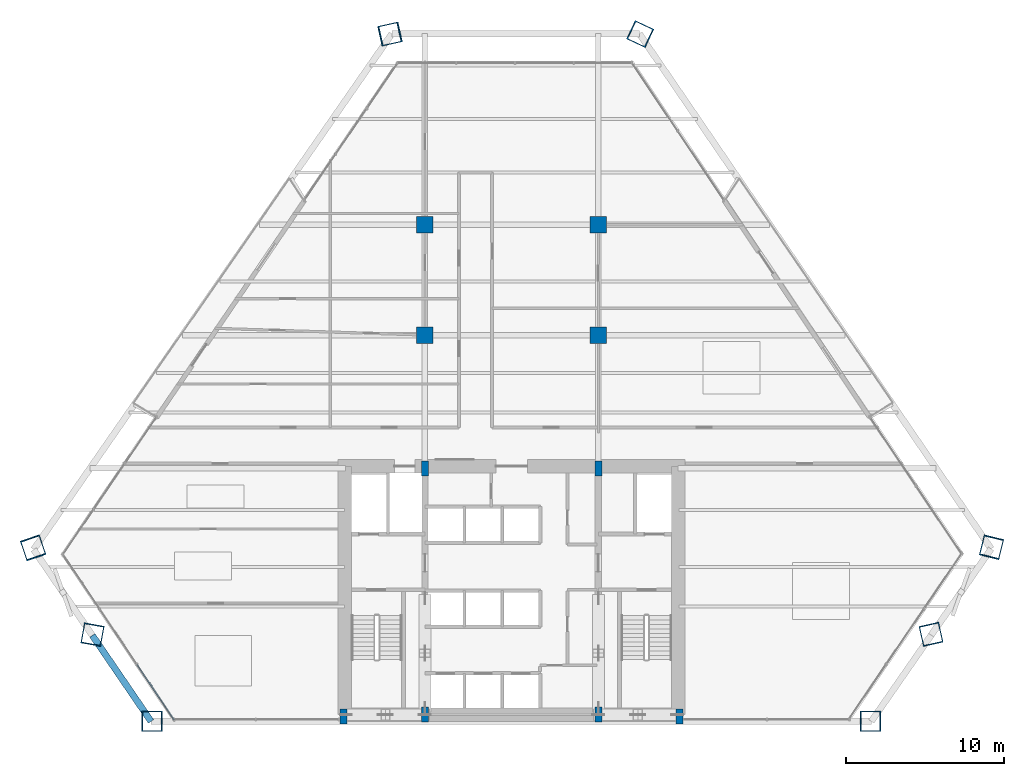
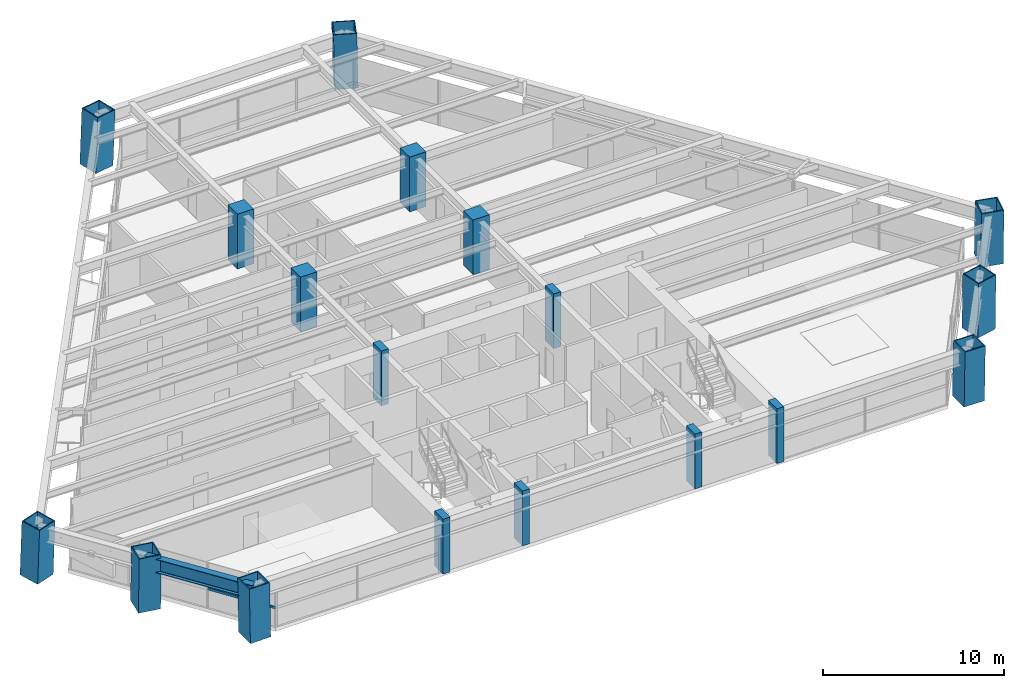
# One storey, part 1 of 14: 18 columns, 1 beam, 1 member, 1 element without a shape of its own.
"""IFC4 building model written with IfcOpenShell, lengths in metres."""

from ifc_helpers import new_model, si_unit, direction, frame, origin, origin_2d, place, context, subcontext, project, spatial, rectangle, hollow_rectangle, i_section, extrude, source, transform, mapped, material, material_profile, profile_set, type_object, type_shapes, element, aggregate, save


model = new_model("IFC4")

# Units and contexts
model_context = context("Model", 3, precision=1e-05, world=origin(), true_north=direction((0.0, 1.0)))
body_context = subcontext(model_context, "Body", "Model", "MODEL_VIEW")
ifc_project = project(units=[si_unit("LENGTHUNIT", "METRE"), si_unit("AREAUNIT", "SQUARE_METRE"), si_unit("VOLUMEUNIT", "CUBIC_METRE"), si_unit("PLANEANGLEUNIT", "RADIAN"), si_unit("MASSUNIT", "GRAM", prefix="KILO")], contexts=[model_context])

# Site, building, storey
site_placement = place(None, origin())
site = spatial("IfcSite", under=ifc_project, at=site_placement, CompositionType="ELEMENT")
building_placement = place(site_placement, origin())
building = spatial("IfcBuilding", under=site, at=building_placement, Name="Varnakhor Terracotta Tower", CompositionType="ELEMENT")
storey_placement = place(building_placement, frame((0.0, 0.0, 46.0)))
storey = spatial("IfcBuildingStorey", under=building, at=storey_placement, Name="L10", CompositionType="ELEMENT", Elevation=46.0)

# Columns
ifc_material_1 = material(Name="Concrete C50/60", Category="concrete")
ifc_material_profile_1 = material_profile(ifc_material_1, rectangle(XDim=0.449951171875, YDim=0.949951171875, at=origin_2d()), Name="RC PILASTER 950x450")
ifc_profile_set_1 = profile_set([ifc_material_profile_1], Name="Concrete C50/60")
column_type_1 = type_object("IfcColumnType", Name="COL-PIL-950x450", PredefinedType="PILASTER", material=ifc_profile_set_1)
shared_shape_1 = source(origin(), body_context, "Body", "SweptSolid", [
    extrude(rectangle(XDim=0.449951171875, YDim=0.949951171875, at=origin_2d()), origin(), (0.0, 0.0, 1.0), 3.699951171875),
])
for number, where, z_axis, x_axis, name in (
    (1, (-10.64990234375, 0.300048828125, 0.0), (0.0, 0.0, 1.0), (1.0, 0.0, 0.0), "L10 Core Pilaster CP1"),
    (2, (-5.5, 0.449951171875, 0.0), (0.0, 0.0, 1.0), (1.0, 0.0, 0.0), "L10 Core Pilaster CP2"),
    (3, (5.5, 0.449951171875, 0.0), (0.0, 0.0, 1.0), (1.0, 0.0, 0.0), "L10 Core Pilaster CP3"),
    (4, (10.64990234375, 0.300048828125, 0.0), (0.0, 0.0, 1.0), (1.0, 0.0, 0.0), "L10 Core Pilaster CP4"),
    (5, (-5.5, 16.050048828125, 0.0), (0.0, 0.0, 1.0), (1.0, 0.0, 0.0), "L10 Core Pilaster CP5"),
    (6, (5.5, 16.050048828125, 0.0), (0.0, 0.0, 1.0), (1.0, 0.0, 0.0), "L10 Core Pilaster CP6"),
):
    element("IfcColumn", number, at=place(storey_placement, frame(where, z_axis=z_axis, x_axis=x_axis)), inside=storey, type_object=column_type_1, Name=name, PredefinedType="PILASTER", context=body_context, shape_type="MappedRepresentation", body=[
        mapped(shared_shape_1, transform((0.0, 0.0, 0.0), scale=1.0)),
    ])
ifc_material_2 = material(Name="Steel S460", Category="steel")
ifc_material_profile_2 = material_profile(ifc_material_2, hollow_rectangle(XDim=1.300048828125, YDim=1.300048828125, WallThickness=0.06494140625, at=origin_2d()), Name="BOX 1300x1300x65")
ifc_profile_set_2 = profile_set([ifc_material_profile_2], Name="Steel S460")
column_type_2 = type_object("IfcColumnType", Name="COL-MEGA-1300", PredefinedType="COLUMN", material=ifc_profile_set_2)
shared_shape_2 = source(origin(), body_context, "Body", "SweptSolid", [
    extrude(hollow_rectangle(XDim=1.300048828125, YDim=1.300048828125, WallThickness=0.06494140625, at=origin_2d()), origin(), (0.0, 0.0, 1.0), 3.69189453125),
])
type_shapes(column_type_2, [shared_shape_2])
for number, where, z_axis, x_axis, name in (
    (7, (-22.79931640625, 0.0, 0.00439453125), (-0.018252134585, 0.0, 0.999833415916), (0.0, -1.0, 0.0), "L10 Perimeter Mega-Column M1"),
    (8, (8.16455078125, 43.581298828125, 0.00439453125), (-0.019242950831, 0.009059396096, 0.999773792508), (-0.42594676055, -0.904748228612, 0.0), "L10 Perimeter Mega-Column M5"),
):
    element("IfcColumn", number, at=place(storey_placement, frame(where, z_axis=z_axis, x_axis=x_axis)), inside=storey, type_object=column_type_2, Name=name, PredefinedType="COLUMN", context=body_context, shape_type="MappedRepresentation", body=[
        mapped(shared_shape_2, transform((0.0, 0.0, 0.0), scale=1.0)),
    ])
shared_shape_3 = source(origin(), body_context, "Body", "SweptSolid", [
    extrude(hollow_rectangle(XDim=1.300048828125, YDim=1.300048828125, WallThickness=0.06494140625, at=origin_2d()), origin(), (0.0, 0.0, 1.0), 3.691650390625),
])
for number, where, z_axis, x_axis, name in (
    (9, (22.750732421875, 0.0, 0.00439453125), (0.015673714324, 0.0, 0.999877159795), (0.0, 1.0, 0.0), "L10 Perimeter Mega-Column M2"),
    (10, (26.593994140625, 5.5322265625, 0.00439453125), (0.003769540249, -0.016665335837, 0.999854017918), (0.975360461676, 0.220617247284, 0.0), "L10 Perimeter Mega-Column M3"),
    (11, (-26.576416015625, 5.5146484375, 0.00439453125), (-0.003174305904, -0.017590945219, 0.999840228451), (0.984105825579, -0.177583006119, 0.0), "L10 Perimeter Mega-Column M8"),
):
    element("IfcColumn", number, at=place(storey_placement, frame(where, z_axis=z_axis, x_axis=x_axis)), inside=storey, type_object=column_type_2, Name=name, PredefinedType="COLUMN", context=body_context, shape_type="MappedRepresentation", body=[
        mapped(shared_shape_3, transform((0.0, 0.0, 0.0), scale=1.0)),
    ])
shared_shape_4 = source(origin(), body_context, "Body", "SweptSolid", [
    extrude(hollow_rectangle(XDim=1.300048828125, YDim=1.300048828125, WallThickness=0.06494140625, at=origin_2d()), origin(), (0.0, 0.0, 1.0), 3.693359375),
])
column_1_placement = place(storey_placement, frame((30.437255859375, 11.064453125, 0.00439453125), z_axis=(-0.00819675394, -0.033381941449, 0.999409054997), x_axis=(0.971152050386, -0.238461097521, 0.0)))
element("IfcColumn", 12, at=column_1_placement, inside=storey, type_object=column_type_2, Name="L10 Perimeter Mega-Column M4", PredefinedType="COLUMN", context=body_context, shape_type="MappedRepresentation", body=[
    mapped(shared_shape_4, transform((0.0, 0.0, 0.0), scale=1.0)),
])
ifc_material_3 = material(Name="Concrete C60/75", Category="concrete")
ifc_material_profile_3 = material_profile(ifc_material_3, rectangle(XDim=1.050048828125, YDim=1.050048828125, at=origin_2d()), Name="RC 1050x1050")
ifc_profile_set_3 = profile_set([ifc_material_profile_3], Name="Concrete C60/75")
column_type_3 = type_object("IfcColumnType", Name="COL-RC-1050", PredefinedType="COLUMN", material=ifc_profile_set_3)
shared_shape_5 = source(origin(), body_context, "Body", "SweptSolid", [
    extrude(rectangle(XDim=1.050048828125, YDim=1.050048828125, at=origin_2d()), origin(), (0.0, 0.0, 1.0), 3.699951171875),
])
for number, where, z_axis, x_axis, name in (
    (13, (-5.5, 24.5, 0.0), (0.0, 0.0, 1.0), (1.0, 0.0, 0.0), "L10 Interior Tower Column IC1"),
    (14, (5.5, 24.5, 0.0), (0.0, 0.0, 1.0), (1.0, 0.0, 0.0), "L10 Interior Tower Column IC2"),
    (15, (-5.5, 31.5, 0.0), (0.0, 0.0, 1.0), (1.0, 0.0, 0.0), "L10 Interior Tower Column IC3"),
    (16, (5.5, 31.5, 0.0), (0.0, 0.0, 1.0), (1.0, 0.0, 0.0), "L10 Interior Tower Column IC4"),
):
    element("IfcColumn", number, at=place(storey_placement, frame(where, z_axis=z_axis, x_axis=x_axis)), inside=storey, type_object=column_type_3, Name=name, PredefinedType="COLUMN", context=body_context, shape_type="MappedRepresentation", body=[
        mapped(shared_shape_5, transform((0.0, 0.0, 0.0), scale=1.0)),
    ])
shared_shape_6 = source(origin(), body_context, "Body", "SweptSolid", [
    extrude(hollow_rectangle(XDim=1.300048828125, YDim=1.300048828125, WallThickness=0.06494140625, at=origin_2d()), origin(), (0.0, 0.0, 1.0), 3.693603515625),
])
column_2_placement = place(storey_placement, frame((-30.353759765625, 11.029296875, 0.00439453125), z_axis=(0.011897315871, -0.035229274217, 0.999308436927), x_axis=(0.947431672343, 0.319958163268, 0.0)))
element("IfcColumn", 17, at=column_2_placement, inside=storey, type_object=column_type_2, Name="L10 Perimeter Mega-Column M7", PredefinedType="COLUMN", context=body_context, shape_type="MappedRepresentation", body=[
    mapped(shared_shape_6, transform((0.0, 0.0, 0.0), scale=1.0)),
])
shared_shape_7 = source(origin(), body_context, "Body", "SweptSolid", [
    extrude(hollow_rectangle(XDim=1.300048828125, YDim=1.300048828125, WallThickness=0.06494140625, at=origin_2d()), origin(), (0.0, 0.0, 1.0), 3.6943359375),
])
column_3_placement = place(storey_placement, frame((-7.739990234375, 43.581298828125, 0.00439453125), z_axis=(0.040707991387, 0.00905356302, 0.999130067826), x_axis=(-0.217098242006, 0.976149759677, 0.0)))
element("IfcColumn", 18, at=column_3_placement, inside=storey, type_object=column_type_2, Name="L10 Perimeter Mega-Column M6", PredefinedType="COLUMN", context=body_context, shape_type="MappedRepresentation", body=[
    mapped(shared_shape_7, transform((0.0, 0.0, 0.0), scale=1.0)),
])

# Beam
ifc_material_4 = material(Name="Steel S355", Category="steel")
ifc_material_profile_4 = material_profile(ifc_material_4, i_section(OverallWidth=0.41796875, OverallDepth=0.927001953125, WebThickness=0.01904296875, FlangeThickness=0.031982421875, FilletRadius=0.01806640625, at=origin_2d()), Name="W36X231")
ifc_profile_set_4 = profile_set([ifc_material_profile_4], Name="Steel S355")
beam_type = type_object("IfcBeamType", Name="BM-W36X231", PredefinedType="BEAM", material=ifc_profile_set_4)
shared_shape_8 = source(origin(), body_context, "Body", "SweptSolid", [
    extrude(i_section(OverallWidth=0.41796875, OverallDepth=0.927001953125, WebThickness=0.01904296875, FlangeThickness=0.031982421875, FilletRadius=0.01806640625, at=origin_2d()), origin(), (0.0, 0.0, 1.0), 6.59912109375),
])
beam_placement = place(storey_placement, frame((-26.588134765625, 5.44970703125, 2.986572265625), z_axis=(0.563929032263, -0.825823253833, 0.0), x_axis=(0.825823253833, 0.563929032263, 0.0)))
element("IfcBeam", 19, at=beam_placement, inside=storey, type_object=beam_type, Name="L10 Perimeter Spandrel 8", PredefinedType="BEAM", context=body_context, shape_type="MappedRepresentation", body=[
    mapped(shared_shape_8, transform((0.0, 0.0, 0.0), scale=1.0)),
])

# Curtain wall, member
ifc_material_5 = material(Name="Anodised Aluminium Curtain Wall System", Category="aluminium")
curtain_wall_type = type_object("IfcCurtainWallType", Name="CW-SYS-LOW-OFFICE", PredefinedType="NOTDEFINED", material=ifc_material_5)
curtain_wall_placement = place(storey_placement, origin())
curtain_wall = element("IfcCurtainWall", 20, at=curtain_wall_placement, inside=storey, type_object=curtain_wall_type, Name="L10 Facet Curtain Wall 6", PredefinedType="NOTDEFINED")
ifc_material_6 = material(Name="Anodised Aluminium 6063-T6", Category="aluminium")
ifc_material_profile_5 = material_profile(ifc_material_6, rectangle(XDim=0.074951171875, YDim=0.1650390625, at=origin_2d()), Name="ALU TRANSOM 75x165")
ifc_profile_set_5 = profile_set([ifc_material_profile_5], Name="Anodised Aluminium 6063-T6")
member_type = type_object("IfcMemberType", Name="CWT-02", PredefinedType="USERDEFINED", material=ifc_profile_set_5)
shared_shape_9 = source(origin(), body_context, "Body", "SweptSolid", [
    extrude(rectangle(XDim=0.074951171875, YDim=0.1650390625, at=origin_2d()), origin(), (0.0, 0.0, 1.0), 4.23486328125),
])
member_placement = place(storey_placement, frame((-21.39697265625, 0.091796875, 1.272705078125), z_axis=(-0.557291699611, 0.830316783851, 0.0), x_axis=(-0.830316783851, -0.557291699611, 0.0)))
member = element("IfcMember", 21, at=member_placement, type_object=member_type, Name="L10 Facet Curtain Wall 6 Transom 1", ObjectType="TRANSOM", PredefinedType="USERDEFINED", context=body_context, shape_type="MappedRepresentation", body=[
    mapped(shared_shape_9, transform((0.0, 0.0, 0.0), scale=1.0)),
])
aggregate(curtain_wall, [member])

save(model, "model.ifc")
